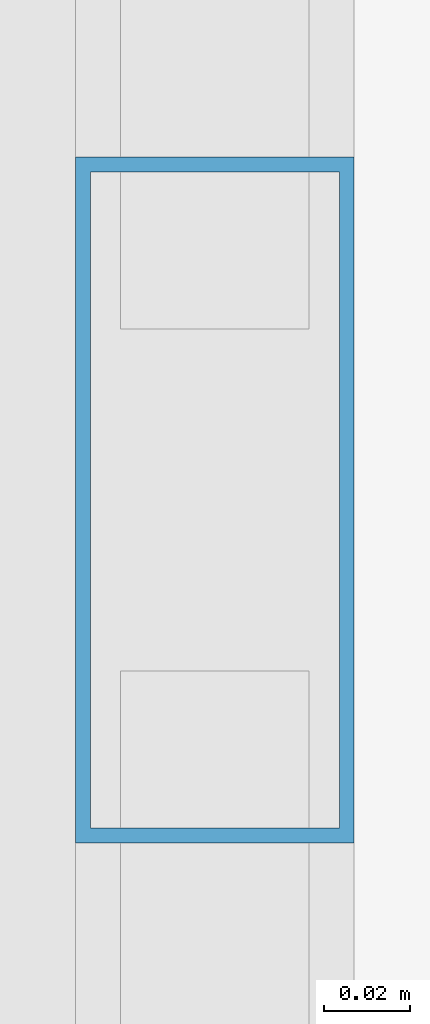
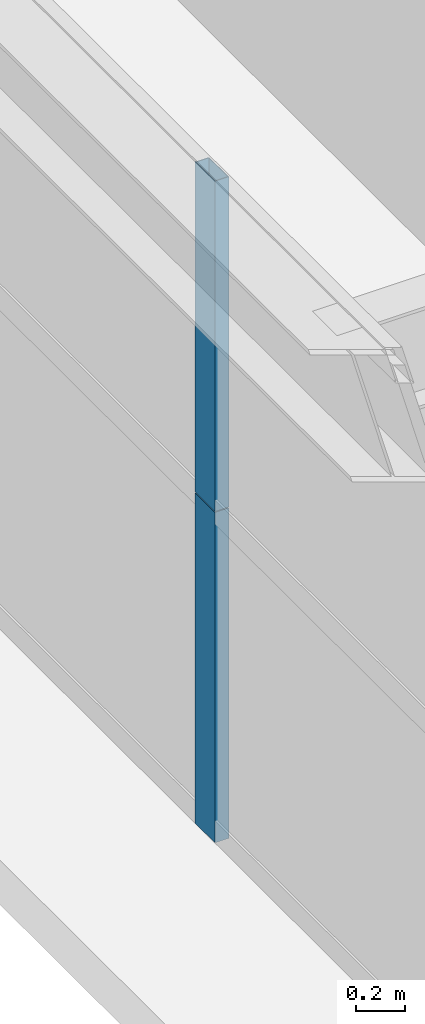
# One storey, part 14 of 38: 2 members, 1 element without a shape of its own.
"""IFC4 building model written with IfcOpenShell, lengths in metres."""

from ifc_helpers import new_model, si_unit, direction, frame, origin, origin_2d, place, context, subcontext, project, spatial, hollow_rectangle, extrude, source, transform, mapped, material, layer, layer_set, material_profile, profile_set, type_object, element, aggregate, save


model = new_model("IFC4")

# Units and contexts
model_context = context("Model", 3, precision=1e-05, world=origin(), true_north=direction((0.0, 1.0)))
body_context = subcontext(model_context, "Body", "Model", "MODEL_VIEW")
ifc_project = project(units=[si_unit("LENGTHUNIT", "METRE"), si_unit("AREAUNIT", "SQUARE_METRE"), si_unit("VOLUMEUNIT", "CUBIC_METRE"), si_unit("PLANEANGLEUNIT", "RADIAN"), si_unit("MASSUNIT", "GRAM", prefix="KILO"), si_unit("THERMODYNAMICTEMPERATUREUNIT", "KELVIN"), si_unit("POWERUNIT", "WATT")], contexts=[model_context])

# Site, building, storey
site_placement = place(None, origin())
site = spatial("IfcSite", under=ifc_project, at=site_placement, CompositionType="ELEMENT")
building_placement = place(site_placement, origin())
building = spatial("IfcBuilding", under=site, at=building_placement, Name="Yuzanri Waterfront Tower", CompositionType="ELEMENT")
storey_placement = place(building_placement, frame((0.0, 0.0, 209.0)))
storey = spatial("IfcBuildingStorey", under=building, at=storey_placement, Name="L55", CompositionType="ELEMENT", Elevation=209.0)

# Curtain wall, members
ifc_material_1 = material(Name="Anodized Architectural Bronze", Category="metal")
ifc_layer = layer(ifc_material_1, 0.159912109375)
ifc_layer_set = layer_set([ifc_layer], Name="Anodized Architectural Bronze")
curtain_wall_type = type_object("IfcCurtainWallType", Name="Anodized Bronze Mid-Rise Residential Acoustic Unitized Curtain Wall 7200", PredefinedType="NOTDEFINED", material=ifc_layer_set)
curtain_wall_placement = place(storey_placement, origin())
curtain_wall = element("IfcCurtainWall", 1, at=curtain_wall_placement, inside=storey, type_object=curtain_wall_type, Name="L55 Curtain Wall CW-L55-WR", PredefinedType="NOTDEFINED")
ifc_material_2 = material(Name="Anodized Architectural Bronze", Category="metal")
ifc_material_profile = material_profile(ifc_material_2, hollow_rectangle(XDim=0.06494140625, YDim=0.159912109375, WallThickness=0.00341796875, at=origin_2d()), Name="CWM 65x160")
ifc_profile_set = profile_set([ifc_material_profile], Name="Anodized Architectural Bronze")
member_type = type_object("IfcMemberType", Name="Anodized Bronze Upper-Zone Curtain-Wall Mullion 65x160", PredefinedType="MULLION", material=ifc_profile_set)
shared_shape = source(origin(), body_context, "Body", "SweptSolid", [
    extrude(hollow_rectangle(XDim=0.06494140625, YDim=0.159912109375, WallThickness=0.00341796875, at=origin_2d()), origin(), (0.0, 0.0, 1.0), 1.637939453125),
])
member_1_placement = place(storey_placement, frame((15.050048828125, 33.375, 0.0), z_axis=(0.0, 0.0, 1.0), x_axis=(1.0, 0.0, 0.0)))
member_1 = element("IfcMember", 2, at=member_1_placement, type_object=member_type, Name="CW-L55-WR Lower Mullion 01", PredefinedType="MULLION", context=body_context, shape_type="MappedRepresentation", body=[
    mapped(shared_shape, transform((0.0, 0.0, 0.0), scale=1.0)),
])
member_2_placement = place(storey_placement, frame((15.050048828125, 33.375, 1.64208984375), z_axis=(0.0, 0.0, 1.0), x_axis=(1.0, 0.0, 0.0)))
member_2 = element("IfcMember", 3, at=member_2_placement, type_object=member_type, Name="CW-L55-WR Upper Mullion 01", PredefinedType="MULLION", context=body_context, shape_type="MappedRepresentation", body=[
    mapped(shared_shape, transform((0.0, 0.0, 0.0), scale=1.0)),
])
aggregate(curtain_wall, [member_1, member_2])

save(model, "model.ifc")
